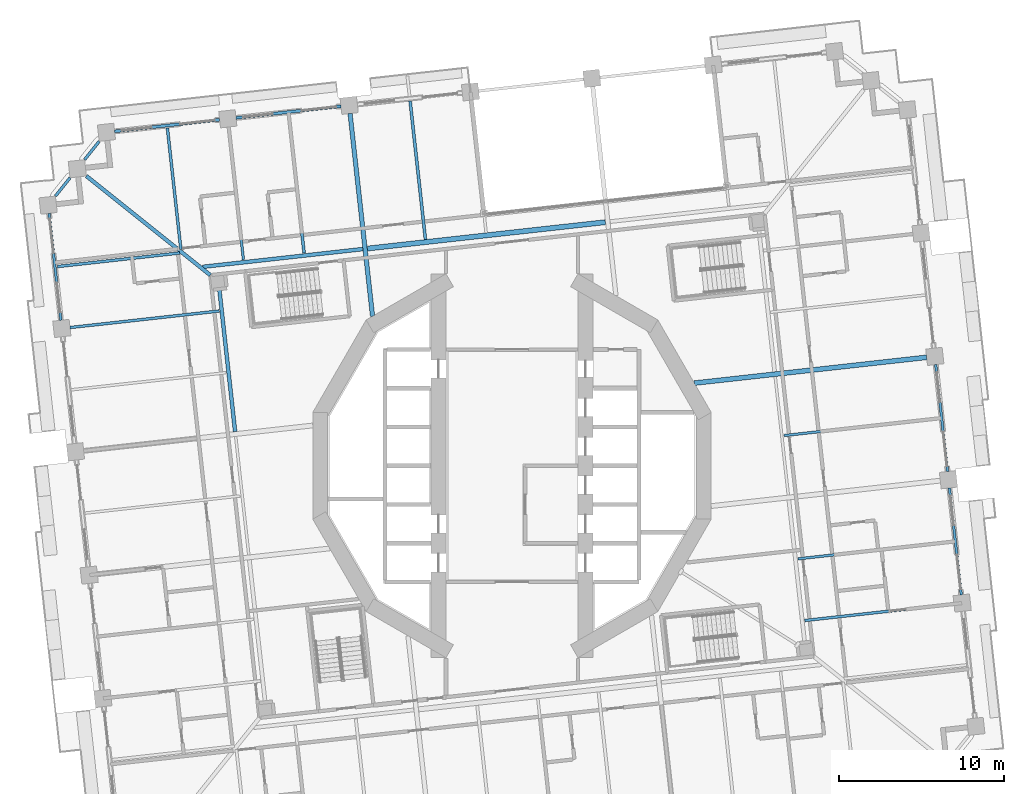
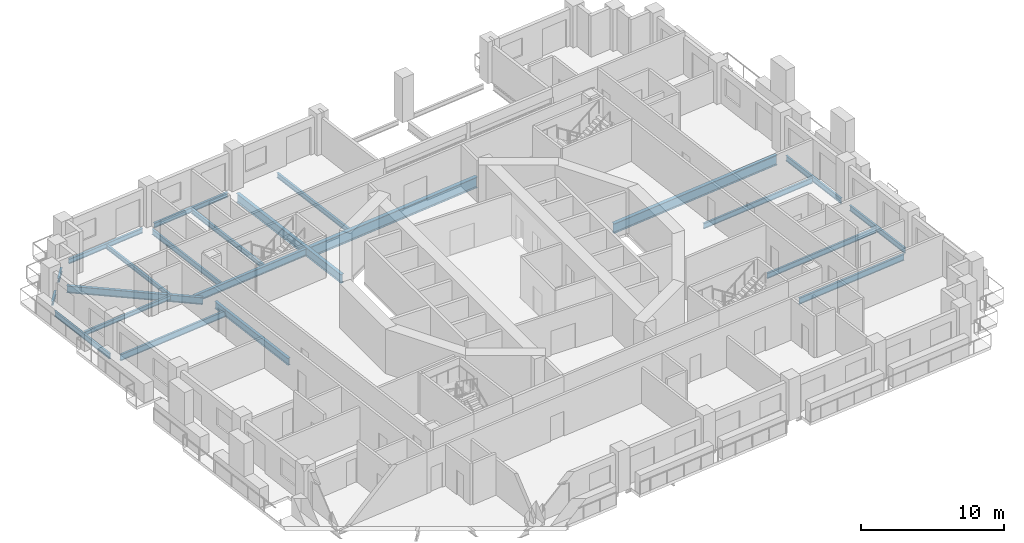
# One storey, part 2 of 20: 22 beams.
"""IFC4 building model written with IfcOpenShell, lengths in metres."""

import ifcopenshell
import ifcopenshell.guid

model = None  # the IFC model being written
_history = None  # IfcOwnerHistory: only IFC2X3 demands one
_inside = {}  # id of a spatial element -> (the spatial element, [elements in it])
_under = {}  # id of a project, library or spatial element -> (it, [spatial elements below it])
_declared = {}  # id of a project -> (the project, [libraries it declares])
_typed = {}  # id of a type object -> (the type object, [elements of that type])
_made_of = {}  # id of a material, layer set ... -> (it, [elements and type objects made of it])


def new_model(schema):
    """Start an empty IFC model of exactly this schema.

    Asked for "IFC4X3", IfcOpenShell would pick the latest addendum, in which some entities
    have other attributes; the version numbers below select the first issue.
    IFC2X3 requires an IfcOwnerHistory on every rooted entity: one is made here for all.
    """
    global model, _history
    if schema == "IFC4X3":
        model = ifcopenshell.file(schema_version=(4, 3, 0, 0))
    else:
        model = ifcopenshell.file(schema=schema)
    _inside.clear()
    _under.clear()
    _declared.clear()
    _typed.clear()
    _made_of.clear()
    _history = None
    if model.schema == "IFC2X3":
        org = make("IfcOrganization", Name="unknown")
        user = make(
            "IfcPersonAndOrganization",
            ThePerson=make("IfcPerson", FamilyName="unknown"),
            TheOrganization=org,
        )
        app = make(
            "IfcApplication",
            ApplicationDeveloper=org,
            Version="unknown",
            ApplicationFullName="unknown",
            ApplicationIdentifier="unknown",
        )
        _history = make(
            "IfcOwnerHistory",
            OwningUser=user,
            OwningApplication=app,
            ChangeAction="ADDED",
            CreationDate=0,
        )
    return model


def make(cls, **values):
    """One entity of the class cls with the attributes given. An attribute that is None is left unset."""
    return model.create_entity(
        cls, **{name: value for name, value in values.items() if value is not None}
    )


def rooted(cls, **values):
    """An entity with a GlobalId (a new one), such as an element, a storey or a relation."""
    return make(cls, GlobalId=ifcopenshell.guid.new(), OwnerHistory=_history, **values)


def si_unit(unit_type, name, prefix=None):
    """IfcSIUnit, for example si_unit("LENGTHUNIT", "METRE", prefix="MILLI")."""
    return make("IfcSIUnit", UnitType=unit_type, Prefix=prefix, Name=name)


def assignment(units):
    """IfcUnitAssignment: the units of a project."""
    return None if units is None else make("IfcUnitAssignment", Units=units)


def point(xyz):
    """IfcCartesianPoint."""
    return None if xyz is None else make("IfcCartesianPoint", Coordinates=xyz)


def direction(xyz):
    """IfcDirection."""
    return None if xyz is None else make("IfcDirection", DirectionRatios=xyz)


def frame(location, z_axis=None, x_axis=None):
    """IfcAxis2Placement3D, a coordinate frame: its origin and axes. An axis left out is left unset."""
    return make(
        "IfcAxis2Placement3D",
        Location=point(location),
        Axis=direction(z_axis),
        RefDirection=direction(x_axis),
    )


def frame_2d(location, x_axis=None):
    """IfcAxis2Placement2D, a coordinate frame in the plane: its origin and x axis."""
    return make(
        "IfcAxis2Placement2D", Location=point(location), RefDirection=direction(x_axis)
    )


def origin():
    """The frame at (0, 0, 0) with its axes left unset."""
    return frame((0.0, 0.0, 0.0))


def origin_2d():
    """The frame at (0, 0) in the plane with its x axis left unset."""
    return frame_2d((0.0, 0.0))


def place(relative_to, where):
    """IfcLocalPlacement: puts the frame where relative to a parent placement (None: the world)."""
    return make(
        "IfcLocalPlacement", PlacementRelTo=relative_to, RelativePlacement=where
    )


def context(
    kind, dimensions, precision=None, world=None, true_north=None, identifier=None
):
    """IfcGeometricRepresentationContext, for example the 3D "Model" context."""
    return make(
        "IfcGeometricRepresentationContext",
        ContextIdentifier=identifier,
        ContextType=kind,
        CoordinateSpaceDimension=dimensions,
        Precision=precision,
        WorldCoordinateSystem=world,
        TrueNorth=true_north,
    )


def subcontext(parent, identifier, kind, view, scale=None):
    """IfcGeometricRepresentationSubContext, for example "Body" below "Model"."""
    return make(
        "IfcGeometricRepresentationSubContext",
        ContextIdentifier=identifier,
        ContextType=kind,
        ParentContext=parent,
        TargetScale=scale,
        TargetView=view,
    )


def project(units=None, contexts=None):
    """IfcProject with its units and contexts."""
    return rooted(
        "IfcProject",
        Name="project",
        RepresentationContexts=contexts,
        UnitsInContext=assignment(units),
    )


def spatial(cls, under=None, at=None, **own):
    """A site, building, storey or space (cls), placed at a placement, below another one or the project."""
    s = rooted(cls, ObjectPlacement=at, **own)
    if under is not None:
        _under.setdefault(under.id(), (under, []))[1].append(s)
    return s


def profile(cls, at=None, kind="AREA", **sizes):
    """A parametric profile (cls). Its sizes go by their IFC names, for example OverallWidth=200.0."""
    return make(cls, ProfileType=kind, Position=at, **sizes)


def i_section(**sizes):
    """IfcIShapeProfileDef."""
    return profile("IfcIShapeProfileDef", **sizes)


def extrude(swept, where, along, depth):
    """IfcExtrudedAreaSolid: the profile swept, set in the frame where, extruded along a direction by depth."""
    return make(
        "IfcExtrudedAreaSolid",
        SweptArea=swept,
        Position=where,
        ExtrudedDirection=direction(along),
        Depth=depth,
    )


def shape(context_of_items, identifier, shape_type, items):
    """IfcShapeRepresentation: the items that make up one representation, for example the "Body"."""
    return make(
        "IfcShapeRepresentation",
        ContextOfItems=context_of_items,
        RepresentationIdentifier=identifier,
        RepresentationType=shape_type,
        Items=items,
    )


def material(Name=None, Category=None):
    """IfcMaterial."""
    return make("IfcMaterial", Name=Name, Category=Category)


def material_profile(
    of_material, cross_section, Name=None, Category=None, Priority=None
):
    """IfcMaterialProfile: a cross section and its material."""
    return make(
        "IfcMaterialProfile",
        Name=Name,
        Material=of_material,
        Profile=cross_section,
        Priority=Priority,
        Category=Category,
    )


def profile_set(profiles, Name=None, composite=None):
    """IfcMaterialProfileSet."""
    return make(
        "IfcMaterialProfileSet",
        Name=Name,
        MaterialProfiles=profiles,
        CompositeProfile=composite,
    )


def made_of(thing, what):
    """Note that an element or type object is made of a material, layer set ...; save() writes the relation."""
    if what is not None:
        _made_of.setdefault(what.id(), (what, []))[1].append(thing)
    return thing


def type_object(cls, material=None, **own):
    """A type object (cls), such as IfcWallType, which elements share."""
    return made_of(rooted(cls, **own), material)


def element(
    cls,
    number,
    at=None,
    inside=None,
    cuts=None,
    type_object=None,
    material=None,
    context=None,
    identifier="Body",
    shape_type=None,
    held_by="IfcProductDefinitionShape",
    body=None,
    shapes=None,
    **own,
):
    """One element of the class cls, such as IfcWall. Its Tag is "e" and its number.

    at: its placement. inside: the storey or other place that contains it. cuts: it is an
    opening in that element (IfcRelVoidsElement). A single representation is given by context,
    identifier, shape_type and body (its items); several are given by shapes. held_by: the class
    of the entity that holds the representations. save() writes the other relations.
    """
    e = rooted(cls, Tag="e%d" % number, ObjectPlacement=at, **own)
    if body is not None:
        shapes = [shape(context, identifier, shape_type, body)]
    if shapes is not None:
        e.Representation = make(held_by, Representations=shapes)
    if inside is not None:
        _inside.setdefault(inside.id(), (inside, []))[1].append(e)
    if cuts is not None:
        rooted(
            "IfcRelVoidsElement", RelatingBuildingElement=cuts, RelatedOpeningElement=e
        )
    if type_object is not None:
        _typed.setdefault(type_object.id(), (type_object, []))[1].append(e)
    return made_of(e, material)


def aggregate(whole, parts):
    """IfcRelAggregates: a whole, such as a stair, and the parts it consists of."""
    return rooted("IfcRelAggregates", RelatingObject=whole, RelatedObjects=parts)


def save(model, path):
    """Write the relations noted so far, then the file.

    IfcRelAggregates (storeys below a building ...), IfcRelContainedInSpatialStructure (elements
    in a storey), IfcRelDefinesByType, IfcRelAssociatesMaterial and IfcRelDeclares: one each for
    every whole, place, type object, material and project.
    """
    for whole, parts in _under.values():
        aggregate(whole, parts)
    for where, things in _inside.values():
        rooted(
            "IfcRelContainedInSpatialStructure",
            RelatedElements=things,
            RelatingStructure=where,
        )
    for kind, things in _typed.values():
        rooted("IfcRelDefinesByType", RelatedObjects=things, RelatingType=kind)
    for what, things in _made_of.values():
        rooted("IfcRelAssociatesMaterial", RelatedObjects=things, RelatingMaterial=what)
    for by, libraries in _declared.values():
        rooted("IfcRelDeclares", RelatingContext=by, RelatedDefinitions=libraries)
    model.write(path)


model = new_model("IFC4")

# Units and contexts
model_context = context("Model", 3, precision=1e-05, world=origin(), true_north=direction((0.0, 1.0)))
body_context = subcontext(model_context, "Body", "Model", "MODEL_VIEW")
ifc_project = project(units=[si_unit("LENGTHUNIT", "METRE"), si_unit("AREAUNIT", "SQUARE_METRE"), si_unit("VOLUMEUNIT", "CUBIC_METRE"), si_unit("PLANEANGLEUNIT", "RADIAN"), si_unit("MASSUNIT", "GRAM", prefix="KILO")], contexts=[model_context])

# Site, building, storey
site_placement = place(None, origin())
site = spatial("IfcSite", under=ifc_project, at=site_placement, CompositionType="ELEMENT")
building_placement = place(site_placement, origin())
building = spatial("IfcBuilding", under=site, at=building_placement, Name="Cantera Rosa Tower", CompositionType="ELEMENT")
storey_placement = place(building_placement, frame((0.0, 0.0, 46.300048828125)))
storey = spatial("IfcBuildingStorey", under=building, at=storey_placement, Name="L08", CompositionType="ELEMENT", Elevation=46.300048828125)

# Beams
ifc_material_1 = material(Name="Steel ASTM A992 (Fy 345 MPa)", Category="steel")
ifc_material_profile_1 = material_profile(ifc_material_1, i_section(OverallWidth=0.154052734375, OverallDepth=0.4599609375, WebThickness=0.009033203125, FlangeThickness=0.015380859375, FilletRadius=0.01025390625, at=origin_2d()), Name="W460X68")
ifc_profile_set_1 = profile_set([ifc_material_profile_1], Name="Steel ASTM A992 (Fy 345 MPa)")
beam_type_1 = type_object("IfcBeamType", Name="STEEL BEAM W460X68", PredefinedType="BEAM", material=ifc_profile_set_1)
beam_1_placement = place(storey_placement, frame((-17.169677734375, 20.53125, -0.47998046875), z_axis=(0.110315740112, -0.993896592953, 0.0), x_axis=(0.993896592953, 0.110315740112, 0.0)))
element("IfcBeam", 1, at=beam_1_placement, inside=storey, type_object=beam_type_1, Name="G-Z1-09 L08", PredefinedType="BEAM", context=body_context, shape_type="SweptSolid", body=[
    extrude(i_section(OverallWidth=0.154052734375, OverallDepth=0.4599609375, WebThickness=0.009033203125, FlangeThickness=0.015380859375, FilletRadius=0.01025390625, at=origin_2d()), origin(), (0.0, 0.0, 1.0), 8.099853515625),
])
ifc_material_2 = material(Name="Steel ASTM A992 (Fy 345 MPa)", Category="steel")
ifc_material_profile_2 = material_profile(ifc_material_2, i_section(OverallWidth=0.166015625, OverallDepth=0.528076171875, WebThickness=0.009765625, FlangeThickness=0.013671875, FilletRadius=0.0126953125, at=origin_2d()), Name="W530X74")
ifc_profile_set_2 = profile_set([ifc_material_profile_2], Name="Steel ASTM A992 (Fy 345 MPa)")
beam_type_2 = type_object("IfcBeamType", Name="STEEL BEAM W530X74", PredefinedType="BEAM", material=ifc_profile_set_2)
for number, where, z_axis, x_axis, name in (
    (2, (26.78759765625, -8.376220703125, -0.51416015625), (-0.993899428859, -0.110290186845, 0.0), (0.110290186845, -0.993899428859, 0.0), "G-Z1-01 L08"),
    (3, (-26.78759765625, 8.376220703125, -0.51416015625), (0.993899428859, 0.110290186845, 0.0), (-0.110290186845, 0.993899428859, 0.0), "G-Z1-15 L08"),
):
    element("IfcBeam", number, at=place(storey_placement, frame(where, z_axis=z_axis, x_axis=x_axis)), inside=storey, type_object=beam_type_2, Name=name, PredefinedType="BEAM", context=body_context, shape_type="SweptSolid", body=[
        extrude(i_section(OverallWidth=0.166015625, OverallDepth=0.528076171875, WebThickness=0.009765625, FlangeThickness=0.013671875, FilletRadius=0.0126953125, at=origin_2d()), origin(), (0.0, 0.0, 1.0), 9.10009765625),
    ])
ifc_material_3 = material(Name="Steel ASTM A992 (Fy 345 MPa)", Category="steel")
ifc_material_profile_3 = material_profile(ifc_material_3, i_section(OverallWidth=0.22802734375, OverallDepth=0.60205078125, WebThickness=0.010498046875, FlangeThickness=0.014892578125, FilletRadius=0.0126953125, at=origin_2d()), Name="W610X101")
ifc_profile_set_3 = profile_set([ifc_material_profile_3], Name="Steel ASTM A992 (Fy 345 MPa)")
beam_type_3 = type_object("IfcBeamType", Name="STEEL BEAM W610X101", PredefinedType="BEAM", material=ifc_profile_set_3)
beam_2_placement = place(storey_placement, frame((-25.794677734375, 17.561767578125, -0.551025390625), z_axis=(0.78078211406, -0.62480340137, 0.0), x_axis=(0.62480340137, 0.78078211406, 0.0)))
element("IfcBeam", 4, at=beam_2_placement, inside=storey, type_object=beam_type_3, Name="CB-Z1-02 L08", PredefinedType="BEAM", context=body_context, shape_type="SweptSolid", body=[
    extrude(i_section(OverallWidth=0.22802734375, OverallDepth=0.60205078125, WebThickness=0.010498046875, FlangeThickness=0.014892578125, FilletRadius=0.0126953125, at=origin_2d()), origin(), (0.0, 0.0, 1.0), 9.61669921875),
])
beam_3_placement = place(storey_placement, frame((-16.781005859375, 2.071533203125, -0.551025390625), z_axis=(-0.110298932846, 0.993898458301, 0.0), x_axis=(-0.993898458301, -0.110298932846, 0.0)))
element("IfcBeam", 5, at=beam_3_placement, inside=storey, type_object=beam_type_3, Name="RB-Z1-12 L08", PredefinedType="BEAM", context=body_context, shape_type="SweptSolid", body=[
    extrude(i_section(OverallWidth=0.22802734375, OverallDepth=0.60205078125, WebThickness=0.010498046875, FlangeThickness=0.014892578125, FilletRadius=0.0126953125, at=origin_2d()), origin(), (0.0, 0.0, 1.0), 8.68994140625),
])
ifc_material_4 = material(Name="Steel ASTM A992 (Fy 345 MPa)", Category="steel")
ifc_material_profile_4 = material_profile(ifc_material_4, i_section(OverallWidth=0.22900390625, OverallDepth=0.612060546875, WebThickness=0.011962890625, FlangeThickness=0.01953125, FilletRadius=0.0126953125, at=origin_2d()), Name="W610X125")
ifc_profile_set_4 = profile_set([ifc_material_profile_4], Name="Steel ASTM A992 (Fy 345 MPa)")
beam_type_4 = type_object("IfcBeamType", Name="STEEL BEAM W610X125", PredefinedType="BEAM", material=ifc_profile_set_4)
beam_4_placement = place(storey_placement, frame((-18.744384765625, 12.055908203125, -0.55615234375), z_axis=(0.993898383269, 0.110299608956, 0.0), x_axis=(-0.110299608956, 0.993898383269, 0.0)))
element("IfcBeam", 6, at=beam_4_placement, inside=storey, type_object=beam_type_4, Name="RB-Z1-01 L08", PredefinedType="BEAM", context=body_context, shape_type="SweptSolid", body=[
    extrude(i_section(OverallWidth=0.22900390625, OverallDepth=0.612060546875, WebThickness=0.011962890625, FlangeThickness=0.01953125, FilletRadius=0.0126953125, at=origin_2d()), origin(), (0.0, 0.0, 1.0), 9.750244140625),
])
ifc_material_5 = material(Name="Steel ASTM A992 (Fy 345 MPa)", Category="steel")
ifc_material_profile_5 = material_profile(ifc_material_5, i_section(OverallWidth=0.26708984375, OverallDepth=0.75390625, WebThickness=0.01318359375, FlangeThickness=0.01708984375, FilletRadius=0.0166015625, at=origin_2d()), Name="W760X147")
ifc_profile_set_5 = profile_set([ifc_material_profile_5], Name="Steel ASTM A992 (Fy 345 MPa)")
beam_type_5 = type_object("IfcBeamType", Name="STEEL BEAM W760X147", PredefinedType="BEAM", material=ifc_profile_set_5)
beam_5_placement = place(storey_placement, frame((-9.814697265625, 21.34765625, -0.626953125), z_axis=(0.110292782244, -0.993899140851, 0.0), x_axis=(0.993899140851, 0.110292782244, 0.0)))
element("IfcBeam", 7, at=beam_5_placement, inside=storey, type_object=beam_type_5, Name="G-Z1-08 L08", PredefinedType="BEAM", context=body_context, shape_type="SweptSolid", body=[
    extrude(i_section(OverallWidth=0.26708984375, OverallDepth=0.75390625, WebThickness=0.01318359375, FlangeThickness=0.01708984375, FilletRadius=0.0166015625, at=origin_2d()), origin(), (0.0, 0.0, 1.0), 12.360595703125),
])
ifc_material_6 = material(Name="Steel ASTM A992 (Fy 345 MPa)", Category="steel")
ifc_material_profile_6 = material_profile(ifc_material_6, i_section(OverallWidth=0.2919921875, OverallDepth=0.8359375, WebThickness=0.013916015625, FlangeThickness=0.018798828125, FilletRadius=0.017822265625, at=origin_2d()), Name="W840X176")
ifc_profile_set_6 = profile_set([ifc_material_profile_6], Name="Steel ASTM A992 (Fy 345 MPa)")
beam_type_6 = type_object("IfcBeamType", Name="STEEL BEAM W840X176", PredefinedType="BEAM", material=ifc_profile_set_6)
beam_6_placement = place(storey_placement, frame((25.12841796875, 6.572021484375, -0.66796875), z_axis=(-0.993897599241, -0.110306673519, 0.0), x_axis=(0.110306673519, -0.993897599241, 0.0)))
element("IfcBeam", 8, at=beam_6_placement, inside=storey, type_object=beam_type_6, Name="G-Z1-03 L08", PredefinedType="BEAM", context=body_context, shape_type="SweptSolid", body=[
    extrude(i_section(OverallWidth=0.2919921875, OverallDepth=0.8359375, WebThickness=0.013916015625, FlangeThickness=0.018798828125, FilletRadius=0.017822265625, at=origin_2d()), origin(), (0.0, 0.0, 1.0), 14.1650390625),
])
ifc_material_7 = material(Name="Steel ASTM A992 (Fy 345 MPa)", Category="steel")
ifc_material_profile_7 = material_profile(ifc_material_7, i_section(OverallWidth=0.304931640625, OverallDepth=0.9189453125, WebThickness=0.017333984375, FlangeThickness=0.02783203125, FilletRadius=0.01904296875, at=origin_2d()), Name="W920X253")
ifc_profile_set_7 = profile_set([ifc_material_profile_7], Name="Steel ASTM A992 (Fy 345 MPa)")
beam_type_7 = type_object("IfcBeamType", Name="STEEL BEAM W920X253", PredefinedType="BEAM", material=ifc_profile_set_7)
beam_7_placement = place(storey_placement, frame((-8.755615234375, 13.16455078125, -0.70947265625), z_axis=(0.993898099692, 0.110302164209, 0.0), x_axis=(-0.110302164209, 0.993898099692, 0.0)))
element("IfcBeam", 9, at=beam_7_placement, inside=storey, type_object=beam_type_7, Name="RB-Z1-02 L08", PredefinedType="BEAM", context=body_context, shape_type="SweptSolid", body=[
    extrude(i_section(OverallWidth=0.304931640625, OverallDepth=0.9189453125, WebThickness=0.017333984375, FlangeThickness=0.02783203125, FilletRadius=0.01904296875, at=origin_2d()), origin(), (0.0, 0.0, 1.0), 14.499755859375),
])
ifc_material_8 = material(Name="Steel ASTM A992 (Fy 345 MPa)", Category="steel")
ifc_material_profile_8 = material_profile(ifc_material_8, i_section(OverallWidth=0.1708984375, OverallDepth=0.35595703125, WebThickness=0.00732421875, FlangeThickness=0.01171875, FilletRadius=0.010009765625, at=origin_2d()), Name="W360X51")
ifc_profile_set_8 = profile_set([ifc_material_profile_8], Name="Steel ASTM A992 (Fy 345 MPa)")
beam_type_8 = type_object("IfcBeamType", Name="STEEL JOIST W360X51", PredefinedType="JOIST", material=ifc_profile_set_8)
beam_8_placement = place(storey_placement, frame((-20.8857421875, 20.470947265625, -0.427978515625), z_axis=(0.110326513132, -0.993895397162, 0.0), x_axis=(0.993895397162, 0.110326513132, 0.0)))
element("IfcBeam", 10, at=beam_8_placement, inside=storey, type_object=beam_type_8, Name="B-Z1-11 L08", PredefinedType="JOIST", context=body_context, shape_type="SweptSolid", body=[
    extrude(i_section(OverallWidth=0.1708984375, OverallDepth=0.35595703125, WebThickness=0.00732421875, FlangeThickness=0.01171875, FilletRadius=0.010009765625, at=origin_2d()), origin(), (0.0, 0.0, 1.0), 7.39990234375),
])
beam_9_placement = place(storey_placement, frame((-27.550048828125, 12.074462890625, -0.427978515625), z_axis=(0.993895702238, 0.110323764768, 0.0), x_axis=(-0.110323764768, 0.993895702238, 0.0)))
element("IfcBeam", 11, at=beam_9_placement, inside=storey, type_object=beam_type_8, Name="B-Z1-18 L08", PredefinedType="JOIST", context=body_context, shape_type="SweptSolid", body=[
    extrude(i_section(OverallWidth=0.1708984375, OverallDepth=0.35595703125, WebThickness=0.00732421875, FlangeThickness=0.01171875, FilletRadius=0.010009765625, at=origin_2d()), origin(), (0.0, 0.0, 1.0), 7.4599609375),
])
ifc_material_9 = material(Name="Steel ASTM A992 (Fy 345 MPa)", Category="steel")
ifc_material_profile_9 = material_profile(ifc_material_9, i_section(OverallWidth=0.177978515625, OverallDepth=0.406005859375, WebThickness=0.0078125, FlangeThickness=0.0126953125, FilletRadius=0.01025390625, at=origin_2d()), Name="W410X60")
ifc_profile_set_9 = profile_set([ifc_material_profile_9], Name="Steel ASTM A992 (Fy 345 MPa)")
beam_type_9 = type_object("IfcBeamType", Name="STEEL JOIST W410X60", PredefinedType="JOIST", material=ifc_profile_set_9)
for number, where, z_axis, x_axis, name in (
    (12, (-6.176025390625, 22.103515625, -0.453125), (0.110311022989, -0.99389711651, 0.0), (0.99389711651, 0.110311022989, 0.0), "B-Z1-09 L08"),
    (13, (-13.53076171875, 21.287353515625, -0.453125), (0.110311022989, -0.99389711651, 0.0), (0.99389711651, 0.110311022989, 0.0), "B-Z1-10 L08"),
):
    element("IfcBeam", number, at=place(storey_placement, frame(where, z_axis=z_axis, x_axis=x_axis)), inside=storey, type_object=beam_type_9, Name=name, PredefinedType="JOIST", context=body_context, shape_type="SweptSolid", body=[
        extrude(i_section(OverallWidth=0.177978515625, OverallDepth=0.406005859375, WebThickness=0.0078125, FlangeThickness=0.0126953125, FilletRadius=0.01025390625, at=origin_2d()), origin(), (0.0, 0.0, 1.0), 8.449951171875),
    ])
ifc_material_10 = material(Name="Steel ASTM A992 (Fy 345 MPa)", Category="steel")
ifc_material_profile_10 = material_profile(ifc_material_10, i_section(OverallWidth=0.154052734375, OverallDepth=0.4599609375, WebThickness=0.009033203125, FlangeThickness=0.015380859375, FilletRadius=0.01025390625, at=origin_2d()), Name="W460X68")
ifc_profile_set_10 = profile_set([ifc_material_profile_10], Name="Steel ASTM A992 (Fy 345 MPa)")
beam_type_10 = type_object("IfcBeamType", Name="STEEL JOIST W460X68", PredefinedType="JOIST", material=ifc_profile_set_10)
for number, where, z_axis, x_axis, name in (
    (14, (26.720458984375, -4.600341796875, -0.47998046875), (-0.993896645353, -0.110315268011, 0.0), (0.110315268011, -0.993896645353, 0.0), "B-Z1-02 L08"),
    (15, (25.89111328125, 2.87353515625, -0.47998046875), (-0.993899477629, -0.110289747342, 0.0), (0.110289747342, -0.993899477629, 0.0), "B-Z1-03 L08"),
):
    element("IfcBeam", number, at=place(storey_placement, frame(where, z_axis=z_axis, x_axis=x_axis)), inside=storey, type_object=beam_type_10, Name=name, PredefinedType="JOIST", context=body_context, shape_type="SweptSolid", body=[
        extrude(i_section(OverallWidth=0.154052734375, OverallDepth=0.4599609375, WebThickness=0.009033203125, FlangeThickness=0.015380859375, FilletRadius=0.01025390625, at=origin_2d()), origin(), (0.0, 0.0, 1.0), 9.449951171875),
    ])
ifc_material_11 = material(Name="Steel ASTM A992 (Fy 345 MPa)", Category="steel")
ifc_material_profile_11 = material_profile(ifc_material_11, i_section(OverallWidth=0.1708984375, OverallDepth=0.35595703125, WebThickness=0.00732421875, FlangeThickness=0.01171875, FilletRadius=0.010009765625, at=origin_2d()), Name="W360X51")
ifc_profile_set_11 = profile_set([ifc_material_profile_11], Name="Steel ASTM A992 (Fy 345 MPa)")
beam_type_11 = type_object("IfcBeamType", Name="STEEL SPANDREL BEAM W360X51", PredefinedType="SPANDREL", material=ifc_profile_set_11)
for number, where, z_axis, x_axis, name in (
    (16, (-25.021484375, 19.659912109375, -0.427978515625), (-0.624758203863, -0.780818280208, 0.0), (0.780818280208, -0.624758203863, 0.0), "EB-Z1-14 L08"),
    (17, (-26.78857421875, 17.451416015625, -0.427978515625), (-0.624758203863, -0.780818280208, 0.0), (0.780818280208, -0.624758203863, 0.0), "EB-Z1-15 L08"),
):
    element("IfcBeam", number, at=place(storey_placement, frame(where, z_axis=z_axis, x_axis=x_axis)), inside=storey, type_object=beam_type_11, Name=name, PredefinedType="SPANDREL", context=body_context, shape_type="SweptSolid", body=[
        extrude(i_section(OverallWidth=0.1708984375, OverallDepth=0.35595703125, WebThickness=0.00732421875, FlangeThickness=0.01171875, FilletRadius=0.010009765625, at=origin_2d()), origin(), (0.0, 0.0, 1.0), 1.414306640625),
    ])
ifc_material_12 = material(Name="Steel ASTM A992 (Fy 345 MPa)", Category="steel")
ifc_material_profile_12 = material_profile(ifc_material_12, i_section(OverallWidth=0.177978515625, OverallDepth=0.406005859375, WebThickness=0.0078125, FlangeThickness=0.0126953125, FilletRadius=0.01025390625, at=origin_2d()), Name="W410X60")
ifc_profile_set_12 = profile_set([ifc_material_profile_12], Name="Steel ASTM A992 (Fy 345 MPa)")
beam_type_12 = type_object("IfcBeamType", Name="STEEL SPANDREL BEAM W410X60", PredefinedType="SPANDREL", material=ifc_profile_set_12)
beam_10_placement = place(storey_placement, frame((-10.366943359375, 21.789306640625, -0.453125), z_axis=(-0.993900006422, -0.110284981906, 0.0), x_axis=(0.110284981906, -0.993900006422, 0.0)))
element("IfcBeam", 18, at=beam_10_placement, inside=storey, type_object=beam_type_12, Name="EB-Z1-12 L08", PredefinedType="SPANDREL", context=body_context, shape_type="SweptSolid", body=[
    extrude(i_section(OverallWidth=0.177978515625, OverallDepth=0.406005859375, WebThickness=0.0078125, FlangeThickness=0.0126953125, FilletRadius=0.01025390625, at=origin_2d()), origin(), (0.0, 0.0, 1.0), 6.39990234375),
])
beam_11_placement = place(storey_placement, frame((-17.7216796875, 20.97314453125, -0.453125), z_axis=(-0.993896288542, -0.110318482689, 0.0), x_axis=(0.110318482689, -0.993896288542, 0.0)))
element("IfcBeam", 19, at=beam_11_placement, inside=storey, type_object=beam_type_12, Name="EB-Z1-13 L08", PredefinedType="SPANDREL", context=body_context, shape_type="SweptSolid", body=[
    extrude(i_section(OverallWidth=0.177978515625, OverallDepth=0.406005859375, WebThickness=0.0078125, FlangeThickness=0.0126953125, FilletRadius=0.01025390625, at=origin_2d()), origin(), (0.0, 0.0, 1.0), 6.400146484375),
])
ifc_material_13 = material(Name="Steel ASTM A992 (Fy 345 MPa)", Category="steel")
ifc_material_profile_13 = material_profile(ifc_material_13, i_section(OverallWidth=0.154052734375, OverallDepth=0.4599609375, WebThickness=0.009033203125, FlangeThickness=0.015380859375, FilletRadius=0.01025390625, at=origin_2d()), Name="W460X68")
ifc_profile_set_13 = profile_set([ifc_material_profile_13], Name="Steel ASTM A992 (Fy 345 MPa)")
beam_type_13 = type_object("IfcBeamType", Name="STEEL SPANDREL BEAM W460X68", PredefinedType="SPANDREL", material=ifc_profile_set_13)
for number, where, z_axis, x_axis, name in (
    (20, (27.229248046875, -7.823974609375, -0.47998046875), (-0.110312341265, 0.993896970196, 0.0), (-0.993896970196, -0.110312341265, 0.0), "EB-Z1-02 L08"),
    (21, (26.399658203125, -0.349853515625, -0.47998046875), (-0.110312341265, 0.993896970196, 0.0), (-0.993896970196, -0.110312341265, 0.0), "EB-Z1-03 L08"),
    (22, (-28.058837890625, 15.298095703125, -0.47998046875), (0.110312341265, -0.993896970196, 0.0), (0.993896970196, 0.110312341265, 0.0), "EB-Z1-16 L08"),
):
    element("IfcBeam", number, at=place(storey_placement, frame(where, z_axis=z_axis, x_axis=x_axis)), inside=storey, type_object=beam_type_13, Name=name, PredefinedType="SPANDREL", context=body_context, shape_type="SweptSolid", body=[
        extrude(i_section(OverallWidth=0.154052734375, OverallDepth=0.4599609375, WebThickness=0.009033203125, FlangeThickness=0.015380859375, FilletRadius=0.01025390625, at=origin_2d()), origin(), (0.0, 0.0, 1.0), 6.52001953125),
    ])

save(model, "model.ifc")
